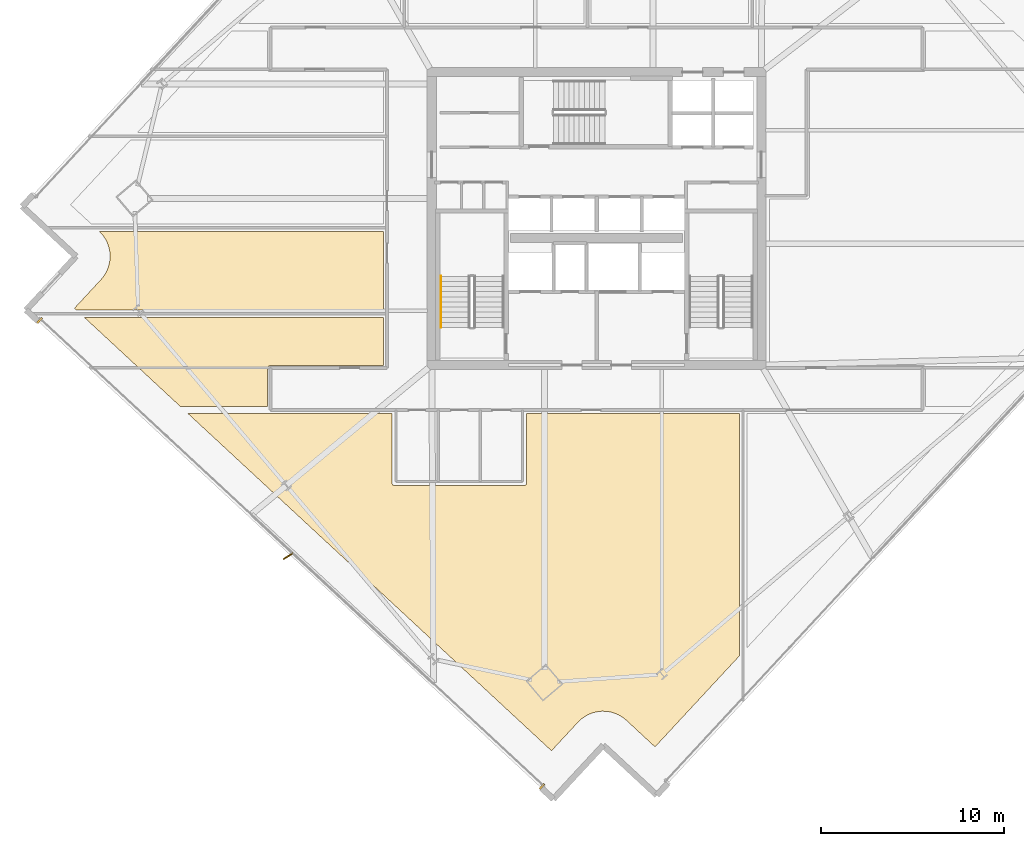
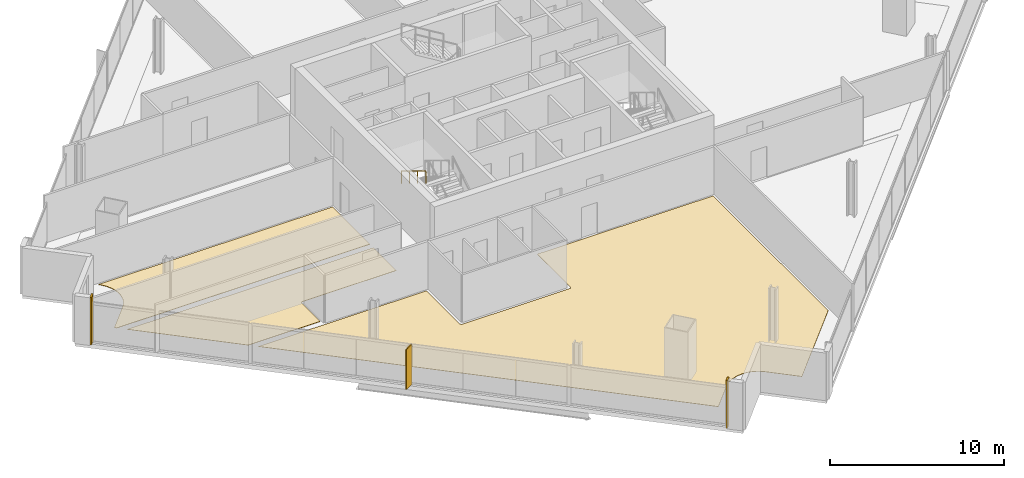
# One storey, part 28 of 32: 5 coverings, 1 railing, 1 shading device.
"""IFC4 building model written with IfcOpenShell, lengths in metres."""

import ifcopenshell
import ifcopenshell.guid

model = None  # the IFC model being written
_history = None  # IfcOwnerHistory: only IFC2X3 demands one
_inside = {}  # id of a spatial element -> (the spatial element, [elements in it])
_under = {}  # id of a project, library or spatial element -> (it, [spatial elements below it])
_declared = {}  # id of a project -> (the project, [libraries it declares])
_typed = {}  # id of a type object -> (the type object, [elements of that type])
_made_of = {}  # id of a material, layer set ... -> (it, [elements and type objects made of it])


def new_model(schema):
    """Start an empty IFC model of exactly this schema.

    Asked for "IFC4X3", IfcOpenShell would pick the latest addendum, in which some entities
    have other attributes; the version numbers below select the first issue.
    IFC2X3 requires an IfcOwnerHistory on every rooted entity: one is made here for all.
    """
    global model, _history
    if schema == "IFC4X3":
        model = ifcopenshell.file(schema_version=(4, 3, 0, 0))
    else:
        model = ifcopenshell.file(schema=schema)
    _inside.clear()
    _under.clear()
    _declared.clear()
    _typed.clear()
    _made_of.clear()
    _history = None
    if model.schema == "IFC2X3":
        org = make("IfcOrganization", Name="unknown")
        user = make(
            "IfcPersonAndOrganization",
            ThePerson=make("IfcPerson", FamilyName="unknown"),
            TheOrganization=org,
        )
        app = make(
            "IfcApplication",
            ApplicationDeveloper=org,
            Version="unknown",
            ApplicationFullName="unknown",
            ApplicationIdentifier="unknown",
        )
        _history = make(
            "IfcOwnerHistory",
            OwningUser=user,
            OwningApplication=app,
            ChangeAction="ADDED",
            CreationDate=0,
        )
    return model


def make(cls, **values):
    """One entity of the class cls with the attributes given. An attribute that is None is left unset."""
    return model.create_entity(
        cls, **{name: value for name, value in values.items() if value is not None}
    )


def rooted(cls, **values):
    """An entity with a GlobalId (a new one), such as an element, a storey or a relation."""
    return make(cls, GlobalId=ifcopenshell.guid.new(), OwnerHistory=_history, **values)


def si_unit(unit_type, name, prefix=None):
    """IfcSIUnit, for example si_unit("LENGTHUNIT", "METRE", prefix="MILLI")."""
    return make("IfcSIUnit", UnitType=unit_type, Prefix=prefix, Name=name)


def assignment(units):
    """IfcUnitAssignment: the units of a project."""
    return None if units is None else make("IfcUnitAssignment", Units=units)


def point(xyz):
    """IfcCartesianPoint."""
    return None if xyz is None else make("IfcCartesianPoint", Coordinates=xyz)


def direction(xyz):
    """IfcDirection."""
    return None if xyz is None else make("IfcDirection", DirectionRatios=xyz)


def frame(location, z_axis=None, x_axis=None):
    """IfcAxis2Placement3D, a coordinate frame: its origin and axes. An axis left out is left unset."""
    return make(
        "IfcAxis2Placement3D",
        Location=point(location),
        Axis=direction(z_axis),
        RefDirection=direction(x_axis),
    )


def frame_2d(location, x_axis=None):
    """IfcAxis2Placement2D, a coordinate frame in the plane: its origin and x axis."""
    return make(
        "IfcAxis2Placement2D", Location=point(location), RefDirection=direction(x_axis)
    )


def origin():
    """The frame at (0, 0, 0) with its axes left unset."""
    return frame((0.0, 0.0, 0.0))


def origin_2d():
    """The frame at (0, 0) in the plane with its x axis left unset."""
    return frame_2d((0.0, 0.0))


def place(relative_to, where):
    """IfcLocalPlacement: puts the frame where relative to a parent placement (None: the world)."""
    return make(
        "IfcLocalPlacement", PlacementRelTo=relative_to, RelativePlacement=where
    )


def context(
    kind, dimensions, precision=None, world=None, true_north=None, identifier=None
):
    """IfcGeometricRepresentationContext, for example the 3D "Model" context."""
    return make(
        "IfcGeometricRepresentationContext",
        ContextIdentifier=identifier,
        ContextType=kind,
        CoordinateSpaceDimension=dimensions,
        Precision=precision,
        WorldCoordinateSystem=world,
        TrueNorth=true_north,
    )


def subcontext(parent, identifier, kind, view, scale=None):
    """IfcGeometricRepresentationSubContext, for example "Body" below "Model"."""
    return make(
        "IfcGeometricRepresentationSubContext",
        ContextIdentifier=identifier,
        ContextType=kind,
        ParentContext=parent,
        TargetScale=scale,
        TargetView=view,
    )


def project(units=None, contexts=None):
    """IfcProject with its units and contexts."""
    return rooted(
        "IfcProject",
        Name="project",
        RepresentationContexts=contexts,
        UnitsInContext=assignment(units),
    )


def spatial(cls, under=None, at=None, **own):
    """A site, building, storey or space (cls), placed at a placement, below another one or the project."""
    s = rooted(cls, ObjectPlacement=at, **own)
    if under is not None:
        _under.setdefault(under.id(), (under, []))[1].append(s)
    return s


def polyline(points):
    """IfcPolyline through the points."""
    return make("IfcPolyline", Points=[point(p) for p in points])


def profile(cls, at=None, kind="AREA", **sizes):
    """A parametric profile (cls). Its sizes go by their IFC names, for example OverallWidth=200.0."""
    return make(cls, ProfileType=kind, Position=at, **sizes)


def rectangle(**sizes):
    """IfcRectangleProfileDef."""
    return profile("IfcRectangleProfileDef", **sizes)


def outline(outer, holes=None, kind="AREA"):
    """IfcArbitraryClosedProfileDef: a profile drawn as a closed curve; with holes, ...WithVoids."""
    if holes is None:
        return make("IfcArbitraryClosedProfileDef", ProfileType=kind, OuterCurve=outer)
    return make(
        "IfcArbitraryProfileDefWithVoids",
        ProfileType=kind,
        OuterCurve=outer,
        InnerCurves=holes,
    )


def extrude(swept, where, along, depth):
    """IfcExtrudedAreaSolid: the profile swept, set in the frame where, extruded along a direction by depth."""
    return make(
        "IfcExtrudedAreaSolid",
        SweptArea=swept,
        Position=where,
        ExtrudedDirection=direction(along),
        Depth=depth,
    )


def shape(context_of_items, identifier, shape_type, items):
    """IfcShapeRepresentation: the items that make up one representation, for example the "Body"."""
    return make(
        "IfcShapeRepresentation",
        ContextOfItems=context_of_items,
        RepresentationIdentifier=identifier,
        RepresentationType=shape_type,
        Items=items,
    )


def source(mapping_origin, context_of_items, identifier, shape_type, items):
    """IfcRepresentationMap: a shape defined once, which mapped items show again and again."""
    return make(
        "IfcRepresentationMap",
        MappingOrigin=mapping_origin,
        MappedRepresentation=shape(context_of_items, identifier, shape_type, items),
    )


def transform(
    local_origin,
    x_axis=None,
    y_axis=None,
    z_axis=None,
    scale=None,
    scale2=None,
    scale3=None,
    uniform=True,
):
    """IfcCartesianTransformationOperator3D, or its non-uniform kind. x_axis, y_axis, z_axis: its Axis1, 2, 3."""
    if uniform:
        return make(
            "IfcCartesianTransformationOperator3D",
            Axis1=direction(x_axis),
            Axis2=direction(y_axis),
            LocalOrigin=point(local_origin),
            Scale=scale,
            Axis3=direction(z_axis),
        )
    return make(
        "IfcCartesianTransformationOperator3DnonUniform",
        Axis1=direction(x_axis),
        Axis2=direction(y_axis),
        LocalOrigin=point(local_origin),
        Scale=scale,
        Axis3=direction(z_axis),
        Scale2=scale2,
        Scale3=scale3,
    )


def mapped(mapping_source, mapping_target):
    """IfcMappedItem: shows the shape of a source again, moved by a transform."""
    return make(
        "IfcMappedItem", MappingSource=mapping_source, MappingTarget=mapping_target
    )


def material(Name=None, Category=None):
    """IfcMaterial."""
    return make("IfcMaterial", Name=Name, Category=Category)


def layer(
    of_material, thickness, ventilated=None, Name=None, Category=None, Priority=None
):
    """IfcMaterialLayer: one layer of a wall or slab, of a material (None: an air gap)."""
    return make(
        "IfcMaterialLayer",
        Material=of_material,
        LayerThickness=thickness,
        IsVentilated=ventilated,
        Name=Name,
        Category=Category,
        Priority=Priority,
    )


def layer_set(layers, Name=None):
    """IfcMaterialLayerSet."""
    return make("IfcMaterialLayerSet", MaterialLayers=layers, LayerSetName=Name)


def made_of(thing, what):
    """Note that an element or type object is made of a material, layer set ...; save() writes the relation."""
    if what is not None:
        _made_of.setdefault(what.id(), (what, []))[1].append(thing)
    return thing


def type_object(cls, material=None, **own):
    """A type object (cls), such as IfcWallType, which elements share."""
    return made_of(rooted(cls, **own), material)


def element(
    cls,
    number,
    at=None,
    inside=None,
    cuts=None,
    type_object=None,
    material=None,
    context=None,
    identifier="Body",
    shape_type=None,
    held_by="IfcProductDefinitionShape",
    body=None,
    shapes=None,
    **own,
):
    """One element of the class cls, such as IfcWall. Its Tag is "e" and its number.

    at: its placement. inside: the storey or other place that contains it. cuts: it is an
    opening in that element (IfcRelVoidsElement). A single representation is given by context,
    identifier, shape_type and body (its items); several are given by shapes. held_by: the class
    of the entity that holds the representations. save() writes the other relations.
    """
    e = rooted(cls, Tag="e%d" % number, ObjectPlacement=at, **own)
    if body is not None:
        shapes = [shape(context, identifier, shape_type, body)]
    if shapes is not None:
        e.Representation = make(held_by, Representations=shapes)
    if inside is not None:
        _inside.setdefault(inside.id(), (inside, []))[1].append(e)
    if cuts is not None:
        rooted(
            "IfcRelVoidsElement", RelatingBuildingElement=cuts, RelatedOpeningElement=e
        )
    if type_object is not None:
        _typed.setdefault(type_object.id(), (type_object, []))[1].append(e)
    return made_of(e, material)


def aggregate(whole, parts):
    """IfcRelAggregates: a whole, such as a stair, and the parts it consists of."""
    return rooted("IfcRelAggregates", RelatingObject=whole, RelatedObjects=parts)


def save(model, path):
    """Write the relations noted so far, then the file.

    IfcRelAggregates (storeys below a building ...), IfcRelContainedInSpatialStructure (elements
    in a storey), IfcRelDefinesByType, IfcRelAssociatesMaterial and IfcRelDeclares: one each for
    every whole, place, type object, material and project.
    """
    for whole, parts in _under.values():
        aggregate(whole, parts)
    for where, things in _inside.values():
        rooted(
            "IfcRelContainedInSpatialStructure",
            RelatedElements=things,
            RelatingStructure=where,
        )
    for kind, things in _typed.values():
        rooted("IfcRelDefinesByType", RelatedObjects=things, RelatingType=kind)
    for what, things in _made_of.values():
        rooted("IfcRelAssociatesMaterial", RelatedObjects=things, RelatingMaterial=what)
    for by, libraries in _declared.values():
        rooted("IfcRelDeclares", RelatingContext=by, RelatedDefinitions=libraries)
    model.write(path)


model = new_model("IFC4")

# Units and contexts
model_context = context("Model", 3, precision=1e-05, world=origin(), true_north=direction((0.0, 1.0)))
body_context = subcontext(model_context, "Body", "Model", "MODEL_VIEW")
ifc_project = project(units=[si_unit("LENGTHUNIT", "METRE"), si_unit("AREAUNIT", "SQUARE_METRE"), si_unit("VOLUMEUNIT", "CUBIC_METRE"), si_unit("PLANEANGLEUNIT", "RADIAN"), si_unit("MASSUNIT", "GRAM", prefix="KILO")], contexts=[model_context])

# Site, building, storey
site_placement = place(None, origin())
site = spatial("IfcSite", under=ifc_project, at=site_placement, CompositionType="ELEMENT")
building_placement = place(site_placement, origin())
building = spatial("IfcBuilding", under=site, at=building_placement, Name="Haldenkirk Collegiate Tower", CompositionType="ELEMENT")
storey_placement = place(building_placement, frame((0.0, 0.0, 185.699951171875)))
storey = spatial("IfcBuildingStorey", under=building, at=storey_placement, Name="L46", CompositionType="ELEMENT", Elevation=185.699951171875)

# Coverings
ifc_material_1 = material(Name="Polished collegiate terrazzo", Category="concrete")
ifc_layer_1 = layer(ifc_material_1, 0.02490234375)
ifc_layer_set_1 = layer_set([ifc_layer_1], Name="Polished collegiate terrazzo")
covering_type_1 = type_object("IfcCoveringType", Name="COV-FLOOR-TERRAZZO", PredefinedType="FLOORING", material=ifc_layer_set_1)
covering_1_placement = place(storey_placement, origin())
element("IfcCovering", 1, at=covering_1_placement, inside=storey, type_object=covering_type_1, Name="L46 academic room finish 08", PredefinedType="FLOORING", context=body_context, shape_type="SweptSolid", body=[
    extrude(outline(polyline([(8.84521484375, 25.300048828125), (24.35009765625, 25.300048828125), (24.35009765625, 21.0), (7.60009765625, 21.0), (7.483154296875, 21.1083984375), (8.931884765625, 22.669921875), (8.935791015625, 22.67431640625), (9.046142578125, 22.805908203125), (9.05322265625, 22.815185546875), (9.150390625, 22.956787109375), (9.156494140625, 22.966796875), (9.2392578125, 23.117431640625), (9.244384765625, 23.128173828125), (9.31201171875, 23.285888671875), (9.31591796875, 23.297119140625), (9.36767578125, 23.460693359375), (9.37060546875, 23.47216796875), (9.40625, 23.64013671875), (9.408203125, 23.65185546875), (9.427001953125, 23.822509765625), (9.427490234375, 23.834228515625), (9.4296875, 24.006103515625), (9.42919921875, 24.017822265625), (9.414306640625, 24.18896484375), (9.41259765625, 24.200439453125), (9.381103515625, 24.369384765625), (9.37841796875, 24.380859375), (9.330322265625, 24.545654296875), (9.32666015625, 24.556884765625), (9.2626953125, 24.71630859375), (9.2578125, 24.726806640625), (9.1787109375, 24.87939453125), (9.172607421875, 24.889404296875), (9.0791015625, 25.033447265625), (9.072021484375, 25.04296875), (8.964599609375, 25.177001953125), (8.956787109375, 25.185791015625), (8.84521484375, 25.300048828125)])), origin(), (0.0, 0.0, 1.0), 0.025146484375),
])
ifc_material_2 = material(Name="Engineered collegiate oak acoustic flooring", Category="wood")
ifc_layer_2 = layer(ifc_material_2, 0.02197265625)
ifc_layer_set_2 = layer_set([ifc_layer_2], Name="Engineered collegiate oak acoustic flooring")
covering_type_2 = type_object("IfcCoveringType", Name="COV-FLOOR-TIMBER", PredefinedType="FLOORING", material=ifc_layer_set_2)
covering_2_placement = place(storey_placement, origin())
element("IfcCovering", 2, at=covering_2_placement, inside=storey, type_object=covering_type_2, Name="L46 academic room finish 01", PredefinedType="FLOORING", context=body_context, shape_type="SweptSolid", body=[
    extrude(outline(polyline([(37.010498046875, -1.017333984375), (36.999267578125, -1.01318359375), (36.835693359375, -0.961669921875), (36.82421875, -0.95849609375), (36.65625, -0.923095703125), (36.64453125, -0.921142578125), (36.473876953125, -0.90234375), (36.462158203125, -0.901611328125), (36.290283203125, -0.899658203125), (36.278564453125, -0.900146484375), (36.107421875, -0.9150390625), (36.095947265625, -0.91650390625), (35.927001953125, -0.947998046875), (35.91552734375, -0.950927734375), (35.750732421875, -0.998779296875), (35.739501953125, -1.002685546875), (35.580078125, -1.066650390625), (35.569580078125, -1.071533203125), (35.4169921875, -1.150634765625), (35.406982421875, -1.156494140625), (35.262939453125, -1.250244140625), (35.25341796875, -1.25732421875), (35.119384765625, -1.36474609375), (35.110595703125, -1.37255859375), (34.98779296875, -1.49267578125), (34.983642578125, -1.496826171875), (33.53515625, -3.058349609375), (13.690673828125, 15.35009765625), (24.830078125, 15.35009765625), (24.830078125, 11.550048828125), (24.83056640625, 11.5380859375), (24.832275390625, 11.526611328125), (24.835205078125, 11.51513671875), (24.839111328125, 11.504150390625), (24.84423828125, 11.493408203125), (24.85009765625, 11.4833984375), (24.857177734375, 11.473876953125), (24.864990234375, 11.465087890625), (24.873779296875, 11.457275390625), (24.88330078125, 11.4501953125), (24.893310546875, 11.444091796875), (24.904052734375, 11.439208984375), (24.915283203125, 11.435302734375), (24.926513671875, 11.432373046875), (24.938232421875, 11.4306640625), (24.949951171875, 11.429931640625), (32.050048828125, 11.429931640625), (32.061767578125, 11.4306640625), (32.073486328125, 11.432373046875), (32.084716796875, 11.435302734375), (32.095947265625, 11.439208984375), (32.106689453125, 11.444091796875), (32.11669921875, 11.4501953125), (32.126220703125, 11.457275390625), (32.135009765625, 11.465087890625), (32.142822265625, 11.473876953125), (32.14990234375, 11.4833984375), (32.15576171875, 11.493408203125), (32.160888671875, 11.504150390625), (32.164794921875, 11.51513671875), (32.167724609375, 11.526611328125), (32.16943359375, 11.5380859375), (32.169921875, 11.550048828125), (32.169921875, 15.35009765625), (43.800048828125, 15.35009765625), (43.800048828125, 2.12548828125), (39.18798828125, -2.84619140625), (37.62646484375, -1.3974609375), (37.6220703125, -1.3935546875), (37.490478515625, -1.283203125), (37.481201171875, -1.27587890625), (37.339599609375, -1.178955078125), (37.32958984375, -1.1728515625), (37.178955078125, -1.090087890625), (37.168212890625, -1.0849609375), (37.010498046875, -1.017333984375)])), origin(), (0.0, 0.0, 1.0), 0.02197265625),
])
covering_3_placement = place(storey_placement, origin())
element("IfcCovering", 3, at=covering_3_placement, inside=storey, type_object=covering_type_2, Name="L46 academic room finish 07", PredefinedType="FLOORING", context=body_context, shape_type="SweptSolid", body=[
    extrude(outline(polyline([(18.14990234375, 17.969970703125), (18.13818359375, 17.969482421875), (18.126708984375, 17.9677734375), (18.115234375, 17.96484375), (18.10400390625, 17.9609375), (18.093505859375, 17.955810546875), (18.083251953125, 17.94970703125), (18.073974609375, 17.94287109375), (18.065185546875, 17.934814453125), (18.05712890625, 17.926025390625), (18.05029296875, 17.916748046875), (18.044189453125, 17.906494140625), (18.0390625, 17.89599609375), (18.03515625, 17.884765625), (18.0322265625, 17.873291015625), (18.030517578125, 17.86181640625), (18.030029296875, 17.85009765625), (18.030029296875, 15.75), (13.259521484375, 15.75), (8.03125, 20.60009765625), (24.35009765625, 20.60009765625), (24.35009765625, 17.969970703125), (18.14990234375, 17.969970703125)])), origin(), (0.0, 0.0, 1.0), 0.02197265625),
])

# Railing
ifc_material_3 = material(Name="Painted architectural tubular steel", Category="steel")
railing_type = type_object("IfcRailingType", Name="RLG-STAIR-HANDRAIL-900", PredefinedType="HANDRAIL", material=ifc_material_3)
railing_placement = place(storey_placement, frame((27.5, 22.85009765625, 2.04541015625)))
element("IfcRailing", 4, at=railing_placement, inside=storey, type_object=railing_type, Name="L46 ST-1 stair handrail 2", PredefinedType="HANDRAIL", context=body_context, shape_type="SweptSolid", body=[
    extrude(rectangle(XDim=0.048095703125, YDim=0.048095703125, at=origin_2d()), frame((0.0, 0.0, 0.8759765625), z_axis=(0.0, -0.854169791009, 0.51999420009), x_axis=(1.0, 0.0, 0.0)), (0.0, 0.0, 1.0), 3.278076171875),
    extrude(rectangle(XDim=0.0419921875, YDim=0.0419921875, at=origin_2d()), origin(), (0.0, 0.0, 1.0), 0.851806640625),
    extrude(rectangle(XDim=0.0419921875, YDim=0.0419921875, at=origin_2d()), frame((0.0, -0.933349609375, 0.568115234375)), (0.0, 0.0, 1.0), 0.851806640625),
    extrude(rectangle(XDim=0.0419921875, YDim=0.0419921875, at=origin_2d()), frame((0.0, -1.86669921875, 1.136474609375)), (0.0, 0.0, 1.0), 0.851806640625),
    extrude(rectangle(XDim=0.0419921875, YDim=0.0419921875, at=origin_2d()), frame((0.0, -2.800048828125, 1.70458984375)), (0.0, 0.0, 1.0), 0.851806640625),
])

# Coverings
ifc_material_4 = material(Name="Anodised architectural bronze aluminium", Category="aluminium")
ifc_layer_3 = layer(ifc_material_4, 0.06005859375)
ifc_layer_set_3 = layer_set([ifc_layer_3], Name="Anodised architectural bronze aluminium")
covering_type_3 = type_object("IfcCoveringType", Name="COV-CLAD-BRONZE-60", PredefinedType="CLADDING", material=ifc_layer_set_3)
shared_shape_1 = source(origin(), body_context, "Body", "SweptSolid", [
    extrude(rectangle(XDim=0.10009765625, YDim=0.3798828125, at=origin_2d()), origin(), (0.0, 0.0, 1.0), 3.340087890625),
])
for number, where, z_axis, x_axis, name in (
    (5, (33.013916015625, -5.002685546875, 0.0), (0.0, 0.0, 1.0), (-0.733136660803, 0.680081345566, 0.0), "L46 recessed curtain-wall bronze jamb closure WJL"),
    (6, (5.58349609375, 20.442626953125, 0.0), (0.0, 0.0, 1.0), (-0.733136660803, 0.680081345566, 0.0), "L46 recessed curtain-wall bronze jamb closure WJR"),
):
    element("IfcCovering", number, at=place(storey_placement, frame(where, z_axis=z_axis, x_axis=x_axis)), inside=storey, type_object=covering_type_3, Name=name, PredefinedType="CLADDING", context=body_context, shape_type="MappedRepresentation", body=[
        mapped(shared_shape_1, transform((0.0, 0.0, 0.0), x_axis=(1.0, 0.0, 0.0), y_axis=(0.0, 1.0, 0.0), z_axis=(0.0, 0.0, 1.0), scale=1.0)),
    ])

# Shading device
ifc_layer_4 = layer(ifc_material_4, 0.06494140625)
ifc_layer_set_4 = layer_set([ifc_layer_4], Name="Anodised architectural bronze aluminium")
shading_device_type = type_object("IfcShadingDeviceType", Name="SHD-FIN-BRONZE-620", PredefinedType="USERDEFINED", material=ifc_layer_set_4)
shared_shape_2 = source(origin(), body_context, "Body", "SweptSolid", [
    extrude(rectangle(XDim=0.6201171875, YDim=0.06494140625, at=origin_2d()), origin(), (0.0, 0.0, 1.0), 2.791015625),
])
shading_device_placement = place(storey_placement, frame((19.1591796875, 7.569580078125, 0.0), z_axis=(0.0, 0.0, 1.0), x_axis=(-0.855815998251, -0.517280366086, 0.0)))
element("IfcShadingDevice", 7, at=shading_device_placement, inside=storey, type_object=shading_device_type, Name="L46 folded bronze solar fin 1", ObjectType="FIN", PredefinedType="USERDEFINED", context=body_context, shape_type="MappedRepresentation", body=[
    mapped(shared_shape_2, transform((0.0, 0.0, 0.0), x_axis=(1.0, 0.0, 0.0), y_axis=(0.0, 1.0, 0.0), z_axis=(0.0, 0.0, 1.0), scale=1.0)),
])

save(model, "model.ifc")
